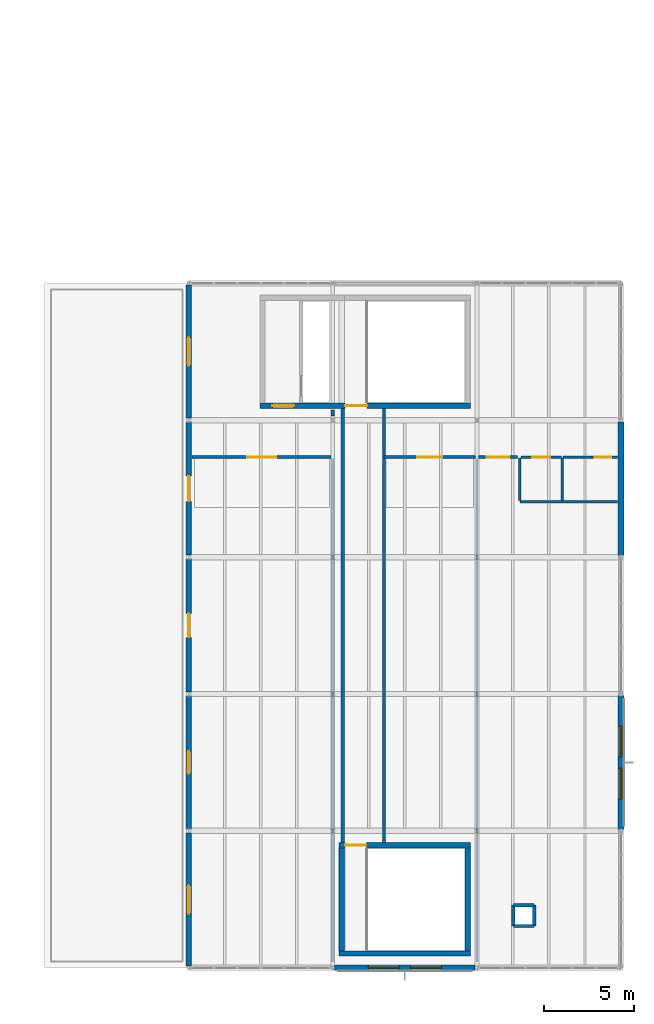
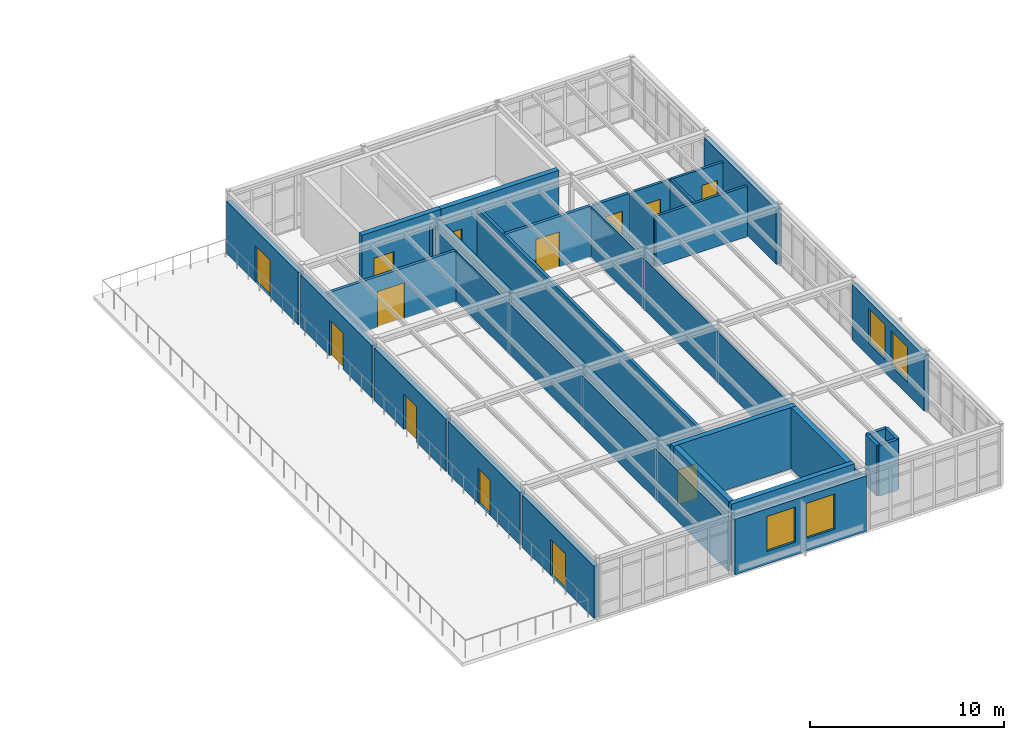
# One storey, part 53 of 65: 31 walls, 13 doors, 4 windows, 17 openings.
"""IFC4 building model written with IfcOpenShell, lengths in metres."""

import ifcopenshell
import ifcopenshell.guid

model = None  # the IFC model being written
_history = None  # IfcOwnerHistory: only IFC2X3 demands one
_inside = {}  # id of a spatial element -> (the spatial element, [elements in it])
_under = {}  # id of a project, library or spatial element -> (it, [spatial elements below it])
_declared = {}  # id of a project -> (the project, [libraries it declares])
_typed = {}  # id of a type object -> (the type object, [elements of that type])
_made_of = {}  # id of a material, layer set ... -> (it, [elements and type objects made of it])


def new_model(schema):
    """Start an empty IFC model of exactly this schema.

    Asked for "IFC4X3", IfcOpenShell would pick the latest addendum, in which some entities
    have other attributes; the version numbers below select the first issue.
    IFC2X3 requires an IfcOwnerHistory on every rooted entity: one is made here for all.
    """
    global model, _history
    if schema == "IFC4X3":
        model = ifcopenshell.file(schema_version=(4, 3, 0, 0))
    else:
        model = ifcopenshell.file(schema=schema)
    _inside.clear()
    _under.clear()
    _declared.clear()
    _typed.clear()
    _made_of.clear()
    _history = None
    if model.schema == "IFC2X3":
        org = make("IfcOrganization", Name="unknown")
        user = make(
            "IfcPersonAndOrganization",
            ThePerson=make("IfcPerson", FamilyName="unknown"),
            TheOrganization=org,
        )
        app = make(
            "IfcApplication",
            ApplicationDeveloper=org,
            Version="unknown",
            ApplicationFullName="unknown",
            ApplicationIdentifier="unknown",
        )
        _history = make(
            "IfcOwnerHistory",
            OwningUser=user,
            OwningApplication=app,
            ChangeAction="ADDED",
            CreationDate=0,
        )
    return model


def make(cls, **values):
    """One entity of the class cls with the attributes given. An attribute that is None is left unset."""
    return model.create_entity(
        cls, **{name: value for name, value in values.items() if value is not None}
    )


def rooted(cls, **values):
    """An entity with a GlobalId (a new one), such as an element, a storey or a relation."""
    return make(cls, GlobalId=ifcopenshell.guid.new(), OwnerHistory=_history, **values)


def si_unit(unit_type, name, prefix=None):
    """IfcSIUnit, for example si_unit("LENGTHUNIT", "METRE", prefix="MILLI")."""
    return make("IfcSIUnit", UnitType=unit_type, Prefix=prefix, Name=name)


def assignment(units):
    """IfcUnitAssignment: the units of a project."""
    return None if units is None else make("IfcUnitAssignment", Units=units)


def point(xyz):
    """IfcCartesianPoint."""
    return None if xyz is None else make("IfcCartesianPoint", Coordinates=xyz)


def direction(xyz):
    """IfcDirection."""
    return None if xyz is None else make("IfcDirection", DirectionRatios=xyz)


def frame(location, z_axis=None, x_axis=None):
    """IfcAxis2Placement3D, a coordinate frame: its origin and axes. An axis left out is left unset."""
    return make(
        "IfcAxis2Placement3D",
        Location=point(location),
        Axis=direction(z_axis),
        RefDirection=direction(x_axis),
    )


def frame_2d(location, x_axis=None):
    """IfcAxis2Placement2D, a coordinate frame in the plane: its origin and x axis."""
    return make(
        "IfcAxis2Placement2D", Location=point(location), RefDirection=direction(x_axis)
    )


def origin():
    """The frame at (0, 0, 0) with its axes left unset."""
    return frame((0.0, 0.0, 0.0))


def place(relative_to, where):
    """IfcLocalPlacement: puts the frame where relative to a parent placement (None: the world)."""
    return make(
        "IfcLocalPlacement", PlacementRelTo=relative_to, RelativePlacement=where
    )


def context(
    kind, dimensions, precision=None, world=None, true_north=None, identifier=None
):
    """IfcGeometricRepresentationContext, for example the 3D "Model" context."""
    return make(
        "IfcGeometricRepresentationContext",
        ContextIdentifier=identifier,
        ContextType=kind,
        CoordinateSpaceDimension=dimensions,
        Precision=precision,
        WorldCoordinateSystem=world,
        TrueNorth=true_north,
    )


def subcontext(parent, identifier, kind, view, scale=None):
    """IfcGeometricRepresentationSubContext, for example "Body" below "Model"."""
    return make(
        "IfcGeometricRepresentationSubContext",
        ContextIdentifier=identifier,
        ContextType=kind,
        ParentContext=parent,
        TargetScale=scale,
        TargetView=view,
    )


def project(units=None, contexts=None):
    """IfcProject with its units and contexts."""
    return rooted(
        "IfcProject",
        Name="project",
        RepresentationContexts=contexts,
        UnitsInContext=assignment(units),
    )


def spatial(cls, under=None, at=None, **own):
    """A site, building, storey or space (cls), placed at a placement, below another one or the project."""
    s = rooted(cls, ObjectPlacement=at, **own)
    if under is not None:
        _under.setdefault(under.id(), (under, []))[1].append(s)
    return s


def profile(cls, at=None, kind="AREA", **sizes):
    """A parametric profile (cls). Its sizes go by their IFC names, for example OverallWidth=200.0."""
    return make(cls, ProfileType=kind, Position=at, **sizes)


def rectangle(**sizes):
    """IfcRectangleProfileDef."""
    return profile("IfcRectangleProfileDef", **sizes)


def extrude(swept, where, along, depth):
    """IfcExtrudedAreaSolid: the profile swept, set in the frame where, extruded along a direction by depth."""
    return make(
        "IfcExtrudedAreaSolid",
        SweptArea=swept,
        Position=where,
        ExtrudedDirection=direction(along),
        Depth=depth,
    )


def shape(context_of_items, identifier, shape_type, items):
    """IfcShapeRepresentation: the items that make up one representation, for example the "Body"."""
    return make(
        "IfcShapeRepresentation",
        ContextOfItems=context_of_items,
        RepresentationIdentifier=identifier,
        RepresentationType=shape_type,
        Items=items,
    )


def material(Name=None, Category=None):
    """IfcMaterial."""
    return make("IfcMaterial", Name=Name, Category=Category)


def layer(
    of_material, thickness, ventilated=None, Name=None, Category=None, Priority=None
):
    """IfcMaterialLayer: one layer of a wall or slab, of a material (None: an air gap)."""
    return make(
        "IfcMaterialLayer",
        Material=of_material,
        LayerThickness=thickness,
        IsVentilated=ventilated,
        Name=Name,
        Category=Category,
        Priority=Priority,
    )


def layer_set(layers, Name=None):
    """IfcMaterialLayerSet."""
    return make("IfcMaterialLayerSet", MaterialLayers=layers, LayerSetName=Name)


def made_of(thing, what):
    """Note that an element or type object is made of a material, layer set ...; save() writes the relation."""
    if what is not None:
        _made_of.setdefault(what.id(), (what, []))[1].append(thing)
    return thing


def type_object(cls, material=None, **own):
    """A type object (cls), such as IfcWallType, which elements share."""
    return made_of(rooted(cls, **own), material)


def element(
    cls,
    number,
    at=None,
    inside=None,
    cuts=None,
    type_object=None,
    material=None,
    context=None,
    identifier="Body",
    shape_type=None,
    held_by="IfcProductDefinitionShape",
    body=None,
    shapes=None,
    **own,
):
    """One element of the class cls, such as IfcWall. Its Tag is "e" and its number.

    at: its placement. inside: the storey or other place that contains it. cuts: it is an
    opening in that element (IfcRelVoidsElement). A single representation is given by context,
    identifier, shape_type and body (its items); several are given by shapes. held_by: the class
    of the entity that holds the representations. save() writes the other relations.
    """
    e = rooted(cls, Tag="e%d" % number, ObjectPlacement=at, **own)
    if body is not None:
        shapes = [shape(context, identifier, shape_type, body)]
    if shapes is not None:
        e.Representation = make(held_by, Representations=shapes)
    if inside is not None:
        _inside.setdefault(inside.id(), (inside, []))[1].append(e)
    if cuts is not None:
        rooted(
            "IfcRelVoidsElement", RelatingBuildingElement=cuts, RelatedOpeningElement=e
        )
    if type_object is not None:
        _typed.setdefault(type_object.id(), (type_object, []))[1].append(e)
    return made_of(e, material)


def fill(opening, filler):
    """IfcRelFillsElement: the door or window that sits in an opening."""
    return rooted(
        "IfcRelFillsElement",
        RelatingOpeningElement=opening,
        RelatedBuildingElement=filler,
    )


def aggregate(whole, parts):
    """IfcRelAggregates: a whole, such as a stair, and the parts it consists of."""
    return rooted("IfcRelAggregates", RelatingObject=whole, RelatedObjects=parts)


def save(model, path):
    """Write the relations noted so far, then the file.

    IfcRelAggregates (storeys below a building ...), IfcRelContainedInSpatialStructure (elements
    in a storey), IfcRelDefinesByType, IfcRelAssociatesMaterial and IfcRelDeclares: one each for
    every whole, place, type object, material and project.
    """
    for whole, parts in _under.values():
        aggregate(whole, parts)
    for where, things in _inside.values():
        rooted(
            "IfcRelContainedInSpatialStructure",
            RelatedElements=things,
            RelatingStructure=where,
        )
    for kind, things in _typed.values():
        rooted("IfcRelDefinesByType", RelatedObjects=things, RelatingType=kind)
    for what, things in _made_of.values():
        rooted("IfcRelAssociatesMaterial", RelatedObjects=things, RelatingMaterial=what)
    for by, libraries in _declared.values():
        rooted("IfcRelDeclares", RelatingContext=by, RelatedDefinitions=libraries)
    model.write(path)


model = new_model("IFC4")

# Units and contexts
model_context = context("Model", 3, precision=1e-05, world=origin(), true_north=direction((0.0, 1.0)))
body_context = subcontext(model_context, "Body", "Model", "MODEL_VIEW")
ifc_project = project(units=[si_unit("LENGTHUNIT", "METRE"), si_unit("AREAUNIT", "SQUARE_METRE"), si_unit("VOLUMEUNIT", "CUBIC_METRE"), si_unit("PLANEANGLEUNIT", "RADIAN"), si_unit("MASSUNIT", "GRAM", prefix="KILO")], contexts=[model_context])

# Site, building, storey
site_placement = place(None, origin())
site = spatial("IfcSite", under=ifc_project, at=site_placement, CompositionType="ELEMENT")
building_placement = place(site_placement, origin())
building = spatial("IfcBuilding", under=site, at=building_placement, Name="Montecoro Central Library", CompositionType="ELEMENT")
storey_placement = place(building_placement, frame((0.0, 0.0, 17.340087890625)))
storey = spatial("IfcBuildingStorey", under=building, at=storey_placement, Name="L04", CompositionType="ELEMENT", Elevation=17.340087890625)

# Wall, openings, windows
ifc_material_1 = material(Name="Roman travertine stone clad concrete C35/45", Category="masonry")
ifc_layer_1 = layer(ifc_material_1, 0.31005859375)
ifc_layer_set_1 = layer_set([ifc_layer_1], Name="Roman travertine stone clad concrete C35/45")
wall_type_1 = type_object("IfcWallType", Name="EW-TRV-310", PredefinedType="SOLIDWALL", material=ifc_layer_set_1)
wall_1_placement = place(storey_placement, frame((157.093017578125, 5.0, 0.0), z_axis=(0.0, 0.0, 1.0), x_axis=(1.0, 0.0, 0.0)))
wall_1 = element("IfcWall", 1, at=wall_1_placement, inside=storey, type_object=wall_type_1, Name="V6-L04-EW-S1", PredefinedType="SOLIDWALL", context=body_context, shape_type="SweptSolid", body=[
    extrude(rectangle(XDim=7.81396484375, YDim=0.31005859375, at=frame_2d((3.906982421875, 0.0))), origin(), (0.0, 0.0, 1.0), 3.47998046875),
])
opening_1_placement = place(wall_1_placement, frame((1.882080078125, 0.0, 0.800048828125)))
opening_1 = element("IfcOpeningElement", 2, at=opening_1_placement, cuts=wall_1, Name="Opening WN-17", PredefinedType="OPENING", context=body_context, shape_type="SweptSolid", body=[
    extrude(rectangle(XDim=1.699951171875, YDim=2.199951171875, at=frame_2d((0.85009765625, 1.10009765625))), frame((0.0, 0.1650390625, 0.0), z_axis=(0.0, -1.0, 0.0), x_axis=(1.0, 0.0, 0.0)), (0.0, 0.0, 1.0), 0.330078125),
])
opening_2_placement = place(wall_1_placement, frame((4.23193359375, 0.0, 0.800048828125)))
opening_2 = element("IfcOpeningElement", 3, at=opening_2_placement, cuts=wall_1, Name="Opening WN-17", PredefinedType="OPENING", context=body_context, shape_type="SweptSolid", body=[
    extrude(rectangle(XDim=1.699951171875, YDim=2.199951171875, at=frame_2d((0.85009765625, 1.10009765625))), frame((0.0, 0.1650390625, 0.0), z_axis=(0.0, -1.0, 0.0), x_axis=(1.0, 0.0, 0.0)), (0.0, 0.0, 1.0), 0.330078125),
])
ifc_material_2 = material(Name="Laminated low-E double glazing", Category="glass")
window_type = type_object("IfcWindowType", Name="WN-COM-170", PartitioningType="SINGLE_PANEL", PredefinedType="WINDOW", material=ifc_material_2)
window_1_placement = place(opening_1_placement, origin())
window_1 = element("IfcWindow", 4, at=window_1_placement, inside=storey, type_object=window_type, Name="V6-L04-WN-S1-1", OverallHeight=2.199951171875, OverallWidth=1.699951171875, PartitioningType="SINGLE_PANEL", PredefinedType="WINDOW", context=body_context, shape_type="SweptSolid", body=[
    extrude(rectangle(XDim=1.699951171875, YDim=2.199951171875, at=frame_2d((0.85009765625, 1.10009765625))), frame((0.0, 0.030029296875, 0.0), z_axis=(0.0, -1.0, 0.0), x_axis=(1.0, 0.0, 0.0)), (0.0, 0.0, 1.0), 0.06005859375),
])
fill(opening_1, window_1)
window_2_placement = place(opening_2_placement, origin())
window_2 = element("IfcWindow", 5, at=window_2_placement, inside=storey, type_object=window_type, Name="V6-L04-WN-S1-2", OverallHeight=2.199951171875, OverallWidth=1.699951171875, PartitioningType="SINGLE_PANEL", PredefinedType="WINDOW", context=body_context, shape_type="SweptSolid", body=[
    extrude(rectangle(XDim=1.699951171875, YDim=2.199951171875, at=frame_2d((0.85009765625, 1.10009765625))), frame((0.0, 0.030029296875, 0.0), z_axis=(0.0, -1.0, 0.0), x_axis=(1.0, 0.0, 0.0)), (0.0, 0.0, 1.0), 0.06005859375),
])
fill(opening_2, window_2)

wall_2_placement = place(storey_placement, frame((173.0, 12.693115234375, 0.0), z_axis=(0.0, 0.0, 1.0), x_axis=(0.0, 1.0, 0.0)))
wall_2 = element("IfcWall", 6, at=wall_2_placement, inside=storey, type_object=wall_type_1, Name="V6-L04-EW-E1", PredefinedType="SOLIDWALL", context=body_context, shape_type="SweptSolid", body=[
    extrude(rectangle(XDim=7.413818359375, YDim=0.31005859375, at=frame_2d((3.70703125, 0.0))), origin(), (0.0, 0.0, 1.0), 3.47998046875),
])
opening_3_placement = place(wall_2_placement, frame((1.681884765625, 0.0, 0.800048828125)))
opening_3 = element("IfcOpeningElement", 7, at=opening_3_placement, cuts=wall_2, Name="Opening WN-17", PredefinedType="OPENING", context=body_context, shape_type="SweptSolid", body=[
    extrude(rectangle(XDim=1.699951171875, YDim=2.199951171875, at=frame_2d((0.85009765625, 1.10009765625))), frame((0.0, 0.1650390625, 0.0), z_axis=(0.0, -1.0, 0.0), x_axis=(1.0, 0.0, 0.0)), (0.0, 0.0, 1.0), 0.330078125),
])
opening_4_placement = place(wall_2_placement, frame((4.031982421875, 0.0, 0.800048828125)))
opening_4 = element("IfcOpeningElement", 8, at=opening_4_placement, cuts=wall_2, Name="Opening WN-17", PredefinedType="OPENING", context=body_context, shape_type="SweptSolid", body=[
    extrude(rectangle(XDim=1.699951171875, YDim=2.199951171875, at=frame_2d((0.85009765625, 1.10009765625))), frame((0.0, 0.1650390625, 0.0), z_axis=(0.0, -1.0, 0.0), x_axis=(1.0, 0.0, 0.0)), (0.0, 0.0, 1.0), 0.330078125),
])
window_3_placement = place(opening_3_placement, origin())
window_3 = element("IfcWindow", 9, at=window_3_placement, inside=storey, type_object=window_type, Name="V6-L04-WN-E1-1", OverallHeight=2.199951171875, OverallWidth=1.699951171875, PartitioningType="SINGLE_PANEL", PredefinedType="WINDOW", context=body_context, shape_type="SweptSolid", body=[
    extrude(rectangle(XDim=1.699951171875, YDim=2.199951171875, at=frame_2d((0.85009765625, 1.10009765625))), frame((0.0, 0.030029296875, 0.0), z_axis=(0.0, -1.0, 0.0), x_axis=(1.0, 0.0, 0.0)), (0.0, 0.0, 1.0), 0.06005859375),
])
fill(opening_3, window_3)
window_4_placement = place(opening_4_placement, origin())
window_4 = element("IfcWindow", 10, at=window_4_placement, inside=storey, type_object=window_type, Name="V6-L04-WN-E1-2", OverallHeight=2.199951171875, OverallWidth=1.699951171875, PartitioningType="SINGLE_PANEL", PredefinedType="WINDOW", context=body_context, shape_type="SweptSolid", body=[
    extrude(rectangle(XDim=1.699951171875, YDim=2.199951171875, at=frame_2d((0.85009765625, 1.10009765625))), frame((0.0, 0.030029296875, 0.0), z_axis=(0.0, -1.0, 0.0), x_axis=(1.0, 0.0, 0.0)), (0.0, 0.0, 1.0), 0.06005859375),
])
fill(opening_4, window_4)

# Wall
wall_3_placement = place(storey_placement, frame((173.0, 27.89306640625, 0.0), z_axis=(0.0, 0.0, 1.0), x_axis=(0.0, 1.0, 0.0)))
element("IfcWall", 11, at=wall_3_placement, inside=storey, type_object=wall_type_1, Name="V6-L04-EW-E3", PredefinedType="SOLIDWALL", context=body_context, shape_type="SweptSolid", body=[
    extrude(rectangle(XDim=7.413818359375, YDim=0.31005859375, at=frame_2d((3.70703125, 0.0))), origin(), (0.0, 0.0, 1.0), 3.47998046875),
])

# Wall, opening, door
wall_4_placement = place(storey_placement, frame((149.0, 42.906982421875, 0.0), z_axis=(0.0, 0.0, 1.0), x_axis=(0.0, -1.0, 0.0)))
wall_4 = element("IfcWall", 12, at=wall_4_placement, inside=storey, type_object=wall_type_1, Name="V6-L04-EW-W4", PredefinedType="SOLIDWALL", context=body_context, shape_type="SweptSolid", body=[
    extrude(rectangle(XDim=7.39892578125, YDim=0.31005859375, at=frame_2d((3.699462890625, 0.0))), origin(), (0.0, 0.0, 1.0), 3.27001953125),
])
opening_5_placement = place(wall_4_placement, frame((2.925048828125, 0.0, 0.0)))
opening_5 = element("IfcOpeningElement", 13, at=opening_5_placement, cuts=wall_4, Name="Opening ED-08", PredefinedType="OPENING", context=body_context, shape_type="SweptSolid", body=[
    extrude(rectangle(XDim=1.550048828125, YDim=2.280029296875, at=frame_2d((0.77490234375, 1.14013671875))), frame((0.0, 0.1650390625, 0.0), z_axis=(0.0, -1.0, 0.0), x_axis=(1.0, 0.0, 0.0)), (0.0, 0.0, 1.0), 0.330078125),
])
ifc_material_3 = material(Name="Thermally broken architectural bronze and safety glass", Category="glass")
door_type_1 = type_object("IfcDoorType", Name="ED-TER-155", OperationType="NOTDEFINED", PredefinedType="DOOR", material=ifc_material_3)
door_1_placement = place(opening_5_placement, origin())
door_1 = element("IfcDoor", 14, at=door_1_placement, inside=storey, type_object=door_type_1, Name="V6-L04-TD-W4", OperationType="SINGLE_SWING_LEFT", OverallHeight=2.280029296875, OverallWidth=1.550048828125, PredefinedType="DOOR", context=body_context, shape_type="SweptSolid", body=[
    extrude(rectangle(XDim=1.550048828125, YDim=2.280029296875, at=frame_2d((0.77490234375, 1.14013671875))), frame((0.0, 0.02490234375, 0.0), z_axis=(0.0, -1.0, 0.0), x_axis=(1.0, 0.0, 0.0)), (0.0, 0.0, 1.0), 0.050048828125),
])
fill(opening_5, door_1)

wall_5_placement = place(storey_placement, frame((149.0, 35.2919921875, 0.0), z_axis=(0.0, 0.0, 1.0), x_axis=(0.0, -1.0, 0.0)))
wall_5 = element("IfcWall", 15, at=wall_5_placement, inside=storey, type_object=wall_type_1, Name="V6-L04-EW-W3", PredefinedType="SOLIDWALL", context=body_context, shape_type="SweptSolid", body=[
    extrude(rectangle(XDim=7.384033203125, YDim=0.31005859375, at=frame_2d((3.69189453125, 0.0))), origin(), (0.0, 0.0, 1.0), 3.27001953125),
])
opening_6_placement = place(wall_5_placement, frame((2.991943359375, 0.0, 0.0)))
opening_6 = element("IfcOpeningElement", 16, at=opening_6_placement, cuts=wall_5, Name="Opening ED-07", PredefinedType="OPENING", context=body_context, shape_type="SweptSolid", body=[
    extrude(rectangle(XDim=1.39990234375, YDim=2.25, at=frame_2d((0.699951171875, 1.125))), frame((0.0, 0.1650390625, 0.0), z_axis=(0.0, -1.0, 0.0), x_axis=(1.0, 0.0, 0.0)), (0.0, 0.0, 1.0), 0.330078125),
])
door_type_2 = type_object("IfcDoorType", Name="ED-TER-140", OperationType="NOTDEFINED", PredefinedType="DOOR", material=ifc_material_3)
door_2_placement = place(opening_6_placement, origin())
door_2 = element("IfcDoor", 17, at=door_2_placement, inside=storey, type_object=door_type_2, Name="V6-L04-TD-W3", OperationType="SINGLE_SWING_RIGHT", OverallHeight=2.25, OverallWidth=1.39990234375, PredefinedType="DOOR", context=body_context, shape_type="SweptSolid", body=[
    extrude(rectangle(XDim=1.39990234375, YDim=2.25, at=frame_2d((0.699951171875, 1.125))), frame((0.0, 0.02490234375, 0.0), z_axis=(0.0, -1.0, 0.0), x_axis=(1.0, 0.0, 0.0)), (0.0, 0.0, 1.0), 0.050048828125),
])
fill(opening_6, door_2)

wall_6_placement = place(storey_placement, frame((149.0, 27.69189453125, 0.0), z_axis=(0.0, 0.0, 1.0), x_axis=(0.0, -1.0, 0.0)))
wall_6 = element("IfcWall", 18, at=wall_6_placement, inside=storey, type_object=wall_type_1, Name="V6-L04-EW-W2", PredefinedType="SOLIDWALL", context=body_context, shape_type="SweptSolid", body=[
    extrude(rectangle(XDim=7.3837890625, YDim=0.31005859375, at=frame_2d((3.69189453125, 0.0))), origin(), (0.0, 0.0, 1.0), 3.27001953125),
])
opening_7_placement = place(wall_6_placement, frame((3.031982421875, 0.0, 0.0)))
opening_7 = element("IfcOpeningElement", 19, at=opening_7_placement, cuts=wall_6, Name="Opening ED-10", PredefinedType="OPENING", context=body_context, shape_type="SweptSolid", body=[
    extrude(rectangle(XDim=1.320068359375, YDim=2.219970703125, at=frame_2d((0.66015625, 1.10986328125))), frame((0.0, 0.1650390625, 0.0), z_axis=(0.0, -1.0, 0.0), x_axis=(1.0, 0.0, 0.0)), (0.0, 0.0, 1.0), 0.330078125),
])
door_type_3 = type_object("IfcDoorType", Name="ED-TER-132", OperationType="NOTDEFINED", PredefinedType="DOOR", material=ifc_material_3)
door_3_placement = place(opening_7_placement, origin())
door_3 = element("IfcDoor", 20, at=door_3_placement, inside=storey, type_object=door_type_3, Name="V6-L04-TD-W2", OperationType="SINGLE_SWING_LEFT", OverallHeight=2.219970703125, OverallWidth=1.320068359375, PredefinedType="DOOR", context=body_context, shape_type="SweptSolid", body=[
    extrude(rectangle(XDim=1.320068359375, YDim=2.219970703125, at=frame_2d((0.66015625, 1.10986328125))), frame((0.0, 0.02490234375, 0.0), z_axis=(0.0, -1.0, 0.0), x_axis=(1.0, 0.0, 0.0)), (0.0, 0.0, 1.0), 0.050048828125),
])
fill(opening_7, door_3)

wall_7_placement = place(storey_placement, frame((149.0, 20.092041015625, 0.0), z_axis=(0.0, 0.0, 1.0), x_axis=(0.0, -1.0, 0.0)))
wall_7 = element("IfcWall", 21, at=wall_7_placement, inside=storey, type_object=wall_type_1, Name="V6-L04-EW-W1", PredefinedType="SOLIDWALL", context=body_context, shape_type="SweptSolid", body=[
    extrude(rectangle(XDim=7.384033203125, YDim=0.31005859375, at=frame_2d((3.69189453125, 0.0))), origin(), (0.0, 0.0, 1.0), 3.27001953125),
])
opening_8_placement = place(wall_7_placement, frame((3.06689453125, 0.0, 0.0)))
opening_8 = element("IfcOpeningElement", 22, at=opening_8_placement, cuts=wall_7, Name="Opening ED-09", PredefinedType="OPENING", context=body_context, shape_type="SweptSolid", body=[
    extrude(rectangle(XDim=1.25, YDim=2.199951171875, at=frame_2d((0.625, 1.10009765625))), frame((0.0, 0.1650390625, 0.0), z_axis=(0.0, -1.0, 0.0), x_axis=(1.0, 0.0, 0.0)), (0.0, 0.0, 1.0), 0.330078125),
])
door_type_4 = type_object("IfcDoorType", Name="ED-TER-125", OperationType="NOTDEFINED", PredefinedType="DOOR", material=ifc_material_3)
door_4_placement = place(opening_8_placement, origin())
door_4 = element("IfcDoor", 23, at=door_4_placement, inside=storey, type_object=door_type_4, Name="V6-L04-TD-W1", OperationType="SINGLE_SWING_RIGHT", OverallHeight=2.199951171875, OverallWidth=1.25, PredefinedType="DOOR", context=body_context, shape_type="SweptSolid", body=[
    extrude(rectangle(XDim=1.25, YDim=2.199951171875, at=frame_2d((0.625, 1.10009765625))), frame((0.0, 0.02490234375, 0.0), z_axis=(0.0, -1.0, 0.0), x_axis=(1.0, 0.0, 0.0)), (0.0, 0.0, 1.0), 0.050048828125),
])
fill(opening_8, door_4)

wall_8_placement = place(storey_placement, frame((149.0, 12.491943359375, 0.0), z_axis=(0.0, 0.0, 1.0), x_axis=(0.0, -1.0, 0.0)))
wall_8 = element("IfcWall", 24, at=wall_8_placement, inside=storey, type_object=wall_type_1, Name="V6-L04-EW-W0", PredefinedType="SOLIDWALL", context=body_context, shape_type="SweptSolid", body=[
    extrude(rectangle(XDim=7.39892578125, YDim=0.31005859375, at=frame_2d((3.699462890625, 0.0))), origin(), (0.0, 0.0, 1.0), 3.27001953125),
])
opening_9_placement = place(wall_8_placement, frame((2.925048828125, 0.0, 0.0)))
opening_9 = element("IfcOpeningElement", 25, at=opening_9_placement, cuts=wall_8, Name="Opening ED-08", PredefinedType="OPENING", context=body_context, shape_type="SweptSolid", body=[
    extrude(rectangle(XDim=1.550048828125, YDim=2.280029296875, at=frame_2d((0.77490234375, 1.14013671875))), frame((0.0, 0.1650390625, 0.0), z_axis=(0.0, -1.0, 0.0), x_axis=(1.0, 0.0, 0.0)), (0.0, 0.0, 1.0), 0.330078125),
])
door_5_placement = place(opening_9_placement, origin())
door_5 = element("IfcDoor", 26, at=door_5_placement, inside=storey, type_object=door_type_1, Name="V6-L04-TD-W0", OperationType="SINGLE_SWING_LEFT", OverallHeight=2.280029296875, OverallWidth=1.550048828125, PredefinedType="DOOR", context=body_context, shape_type="SweptSolid", body=[
    extrude(rectangle(XDim=1.550048828125, YDim=2.280029296875, at=frame_2d((0.77490234375, 1.14013671875))), frame((0.0, 0.02490234375, 0.0), z_axis=(0.0, -1.0, 0.0), x_axis=(1.0, 0.0, 0.0)), (0.0, 0.0, 1.0), 0.050048828125),
])
fill(opening_9, door_5)

# Walls
ifc_material_4 = material(Name="Gypsum fire-rated partition")
ifc_layer_2 = layer(ifc_material_4, 0.179931640625)
ifc_layer_set_2 = layer_set([ifc_layer_2], Name="Gypsum fire-rated partition")
wall_type_2 = type_object("IfcWallType", Name="IW-COR-180", PredefinedType="PARTITIONING", material=ifc_layer_set_2)
for number, where, z_axis, x_axis, name in (
    (27, (167.02001953125, 7.320068359375, 0.0), (0.0, 0.0, 1.0), (1.0, 0.0, 0.0), "RSR-V6-L04-SL3-S"),
    (28, (168.179931640625, 8.47998046875, 0.0), (0.0, 0.0, 1.0), (-1.0, 0.0, 0.0), "RSR-V6-L04-SL3-N"),
    (29, (167.02001953125, 8.47998046875, 0.0), (0.0, 0.0, 1.0), (0.0, -1.0, 0.0), "RSR-V6-L04-SL3-W"),
    (30, (168.179931640625, 7.320068359375, 0.0), (0.0, 0.0, 1.0), (0.0, 1.0, 0.0), "RSR-V6-L04-SL3-E"),
):
    element("IfcWall", number, at=place(storey_placement, frame(where, z_axis=z_axis, x_axis=x_axis)), inside=storey, type_object=wall_type_2, Name=name, PredefinedType="PARTITIONING", context=body_context, shape_type="SweptSolid", body=[
        extrude(rectangle(XDim=1.159912109375, YDim=0.179931640625, at=frame_2d((0.580078125, 0.0))), origin(), (0.0, 0.0, 1.0), 3.179931640625),
    ])

# Wall, opening, door
wall_9_placement = place(storey_placement, frame((149.199951171875, 33.35009765625, 0.0), z_axis=(0.0, 0.0, 1.0), x_axis=(1.0, 0.0, 0.0)))
wall_9 = element("IfcWall", 31, at=wall_9_placement, inside=storey, type_object=wall_type_2, Name="CORW-V6-L04-01", PredefinedType="PARTITIONING", context=body_context, shape_type="SweptSolid", body=[
    extrude(rectangle(XDim=7.7099609375, YDim=0.179931640625, at=frame_2d((3.85498046875, 0.0))), origin(), (0.0, 0.0, 1.0), 3.179931640625),
])
opening_10_placement = place(wall_9_placement, frame((3.054931640625, 0.0, 0.0)))
opening_10 = element("IfcOpeningElement", 32, at=opening_10_placement, cuts=wall_9, Name="Opening ID-06", PredefinedType="OPENING", context=body_context, shape_type="SweptSolid", body=[
    extrude(rectangle(XDim=1.60009765625, YDim=2.25, at=frame_2d((0.800048828125, 1.125))), frame((0.0, 0.099853515625, 0.0), z_axis=(0.0, -1.0, 0.0), x_axis=(1.0, 0.0, 0.0)), (0.0, 0.0, 1.0), 0.199951171875),
])
ifc_material_5 = material(Name="Solid oak and fire-rated steel door", Category="steel")
door_type_5 = type_object("IfcDoorType", Name="ID-COR-160", OperationType="NOTDEFINED", PredefinedType="DOOR", material=ifc_material_5)
door_6_placement = place(opening_10_placement, origin())
door_6 = element("IfcDoor", 33, at=door_6_placement, inside=storey, type_object=door_type_5, Name="DR-SP-V6-L04-R1P1", OperationType="DOUBLE_DOOR_SINGLE_SWING", OverallHeight=2.25, OverallWidth=1.60009765625, PredefinedType="DOOR", context=body_context, shape_type="SweptSolid", body=[
    extrude(rectangle(XDim=1.60009765625, YDim=2.25, at=frame_2d((0.800048828125, 1.125))), frame((0.0, 0.02490234375, 0.0), z_axis=(0.0, -1.0, 0.0), x_axis=(1.0, 0.0, 0.0)), (0.0, 0.0, 1.0), 0.050048828125),
])
fill(opening_10, door_6)

wall_10_placement = place(storey_placement, frame((159.85009765625, 33.35009765625, 0.0), z_axis=(0.0, 0.0, 1.0), x_axis=(1.0, 0.0, 0.0)))
wall_10 = element("IfcWall", 34, at=wall_10_placement, inside=storey, type_object=wall_type_2, Name="CORW-V6-L04-03", PredefinedType="PARTITIONING", context=body_context, shape_type="SweptSolid", body=[
    extrude(rectangle(XDim=5.059814453125, YDim=0.179931640625, at=frame_2d((2.52978515625, 0.0))), origin(), (0.0, 0.0, 1.0), 3.179931640625),
])
opening_11_placement = place(wall_10_placement, frame((1.830078125, 0.0, 0.0)))
opening_11 = element("IfcOpeningElement", 35, at=opening_11_placement, cuts=wall_10, Name="Opening ID-08", PredefinedType="OPENING", context=body_context, shape_type="SweptSolid", body=[
    extrude(rectangle(XDim=1.39990234375, YDim=2.219970703125, at=frame_2d((0.699951171875, 1.10986328125))), frame((0.0, 0.099853515625, 0.0), z_axis=(0.0, -1.0, 0.0), x_axis=(1.0, 0.0, 0.0)), (0.0, 0.0, 1.0), 0.199951171875),
])
door_type_6 = type_object("IfcDoorType", Name="ID-RDG-140", OperationType="NOTDEFINED", PredefinedType="DOOR", material=ifc_material_5)
door_7_placement = place(opening_11_placement, origin())
door_7 = element("IfcDoor", 36, at=door_7_placement, inside=storey, type_object=door_type_6, Name="DR-SP-V6-L04-R2P1", OperationType="SINGLE_SWING_RIGHT", OverallHeight=2.219970703125, OverallWidth=1.39990234375, PredefinedType="DOOR", context=body_context, shape_type="SweptSolid", body=[
    extrude(rectangle(XDim=1.39990234375, YDim=2.219970703125, at=frame_2d((0.699951171875, 1.10986328125))), frame((0.0, 0.02490234375, 0.0), z_axis=(0.0, -1.0, 0.0), x_axis=(1.0, 0.0, 0.0)), (0.0, 0.0, 1.0), 0.050048828125),
])
fill(opening_11, door_7)

wall_11_placement = place(storey_placement, frame((165.090087890625, 33.35009765625, 0.0), z_axis=(0.0, 0.0, 1.0), x_axis=(1.0, 0.0, 0.0)))
wall_11 = element("IfcWall", 37, at=wall_11_placement, inside=storey, type_object=wall_type_2, Name="CORW-V6-L04-04", PredefinedType="PARTITIONING", context=body_context, shape_type="SweptSolid", body=[
    extrude(rectangle(XDim=2.169921875, YDim=0.179931640625, at=frame_2d((1.0849609375, 0.0))), origin(), (0.0, 0.0, 1.0), 3.179931640625),
])
opening_12_placement = place(wall_11_placement, frame((0.455078125, 0.0, 0.0)))
opening_12 = element("IfcOpeningElement", 38, at=opening_12_placement, cuts=wall_11, Name="Opening ID-09", PredefinedType="OPENING", context=body_context, shape_type="SweptSolid", body=[
    extrude(rectangle(XDim=1.260009765625, YDim=2.199951171875, at=frame_2d((0.6298828125, 1.10009765625))), frame((0.0, 0.099853515625, 0.0), z_axis=(0.0, -1.0, 0.0), x_axis=(1.0, 0.0, 0.0)), (0.0, 0.0, 1.0), 0.199951171875),
])
door_type_7 = type_object("IfcDoorType", Name="ID-RDG-126", OperationType="NOTDEFINED", PredefinedType="DOOR", material=ifc_material_5)
door_8_placement = place(opening_12_placement, origin())
door_8 = element("IfcDoor", 39, at=door_8_placement, inside=storey, type_object=door_type_7, Name="DR-SP-V6-L04-R3P1", OperationType="SINGLE_SWING_LEFT", OverallHeight=2.199951171875, OverallWidth=1.260009765625, PredefinedType="DOOR", context=body_context, shape_type="SweptSolid", body=[
    extrude(rectangle(XDim=1.260009765625, YDim=2.199951171875, at=frame_2d((0.6298828125, 1.10009765625))), frame((0.0, 0.02490234375, 0.0), z_axis=(0.0, -1.0, 0.0), x_axis=(1.0, 0.0, 0.0)), (0.0, 0.0, 1.0), 0.050048828125),
])
fill(opening_12, door_8)

# Walls
wall_12_placement = place(storey_placement, frame((157.0, 35.639892578125, 0.0), z_axis=(0.0, 0.0, 1.0), x_axis=(0.0, 1.0, 0.0)))
element("IfcWall", 40, at=wall_12_placement, inside=storey, type_object=wall_type_2, Name="PIL-V6-L04-1", PredefinedType="PARTITIONING", context=body_context, shape_type="SweptSolid", body=[
    extrude(rectangle(XDim=0.320068359375, YDim=0.179931640625, at=frame_2d((0.16015625, 0.0))), origin(), (0.0, 0.0, 1.0), 3.179931640625),
])
for number, where, z_axis, x_axis, name in (
    (41, (157.550048828125, 11.9599609375, 0.0), (0.0, 0.0, 1.0), (0.0, 1.0, 0.0), "SPRW-V6-L04-1W1"),
    (42, (159.85009765625, 11.9599609375, 0.0), (0.0, 0.0, 1.0), (0.0, 1.0, 0.0), "SPRW-V6-L04-1E1"),
):
    element("IfcWall", number, at=place(storey_placement, frame(where, z_axis=z_axis, x_axis=x_axis)), inside=storey, type_object=wall_type_2, Name=name, PredefinedType="PARTITIONING", context=body_context, shape_type="SweptSolid", body=[
        extrude(rectangle(XDim=24.080078125, YDim=0.179931640625, at=frame_2d((12.0400390625, 0.0))), origin(), (0.0, 0.0, 1.0), 3.179931640625),
    ])
ifc_material_6 = material(Name="Gypsum metal-stud partition")
ifc_layer_3 = layer(ifc_material_6, 0.1201171875)
ifc_layer_set_3 = layer_set([ifc_layer_3], Name="Gypsum metal-stud partition")
wall_type_3 = type_object("IfcWallType", Name="IW-PRT-120", PredefinedType="PARTITIONING", material=ifc_layer_set_3)
wall_13_placement = place(storey_placement, frame((165.0, 5.320068359375, 0.0), z_axis=(0.0, 0.0, 1.0), x_axis=(0.0, 1.0, 0.0)))
element("IfcWall", 43, at=wall_13_placement, inside=storey, type_object=wall_type_3, Name="DIVW-V6-L04-02-1", PredefinedType="PARTITIONING", context=body_context, shape_type="SweptSolid", body=[
    extrude(rectangle(XDim=27.93994140625, YDim=0.1201171875, at=frame_2d((13.969970703125, 0.0))), origin(), (0.0, 0.0, 1.0), 3.179931640625),
])
ifc_layer_4 = layer(ifc_material_6, 0.139892578125)
ifc_layer_set_4 = layer_set([ifc_layer_4], Name="Gypsum metal-stud partition")
wall_type_4 = type_object("IfcWallType", Name="IW-PRT-140", PredefinedType="PARTITIONING", material=ifc_layer_set_4)
wall_14_placement = place(storey_placement, frame((157.0, 5.320068359375, 0.0), z_axis=(0.0, 0.0, 1.0), x_axis=(0.0, 1.0, 0.0)))
element("IfcWall", 44, at=wall_14_placement, inside=storey, type_object=wall_type_4, Name="DIVW-V6-L04-01-1", PredefinedType="PARTITIONING", context=body_context, shape_type="SweptSolid", body=[
    extrude(rectangle(XDim=27.93994140625, YDim=0.139892578125, at=frame_2d((13.969970703125, 0.0))), origin(), (0.0, 0.0, 1.0), 3.179931640625),
])

# Wall, opening, door
ifc_material_7 = material(Name="Concrete C35/45", Category="concrete")
ifc_layer_5 = layer(ifc_material_7, 0.300048828125)
ifc_layer_set_5 = layer_set([ifc_layer_5], Name="Concrete C35/45")
wall_type_5 = type_object("IfcWallType", Name="IW-SHR-300", PredefinedType="SHEAR", material=ifc_layer_set_5)
wall_15_placement = place(storey_placement, frame((152.949951171875, 36.199951171875, 0.0), z_axis=(0.0, 0.0, 1.0), x_axis=(1.0, 0.0, 0.0)))
wall_15 = element("IfcWall", 45, at=wall_15_placement, inside=storey, type_object=wall_type_5, Name="C7-L04-LWS", PredefinedType="SHEAR", context=body_context, shape_type="SweptSolid", body=[
    extrude(rectangle(XDim=4.699951171875, YDim=0.300048828125, at=frame_2d((2.35009765625, 0.0))), origin(), (0.0, 0.0, 1.0), 3.844970703125),
])
opening_13_placement = place(wall_15_placement, frame((0.699951171875, 0.0, 0.0)))
opening_13 = element("IfcOpeningElement", 46, at=opening_13_placement, cuts=wall_15, Name="Opening ID-03", PredefinedType="OPENING", context=body_context, shape_type="SweptSolid", body=[
    extrude(rectangle(XDim=1.199951171875, YDim=2.159912109375, at=frame_2d((0.60009765625, 1.080078125))), frame((0.0, 0.159912109375, 0.0), z_axis=(0.0, -1.0, 0.0), x_axis=(1.0, 0.0, 0.0)), (0.0, 0.0, 1.0), 0.320068359375),
])
door_type_8 = type_object("IfcDoorType", Name="ID-FFL-120", OperationType="NOTDEFINED", PredefinedType="DOOR", material=ifc_material_5)
door_9_placement = place(opening_13_placement, origin())
door_9 = element("IfcDoor", 47, at=door_9_placement, inside=storey, type_object=door_type_8, Name="C7-L04-DLOB", OperationType="SINGLE_SWING_LEFT", OverallHeight=2.159912109375, OverallWidth=1.199951171875, PredefinedType="DOOR", context=body_context, shape_type="SweptSolid", body=[
    extrude(rectangle(XDim=1.199951171875, YDim=2.159912109375, at=frame_2d((0.60009765625, 1.080078125))), frame((0.0, 0.02490234375, 0.0), z_axis=(0.0, -1.0, 0.0), x_axis=(1.0, 0.0, 0.0)), (0.0, 0.0, 1.0), 0.050048828125),
])
fill(opening_13, door_9)

wall_16_placement = place(storey_placement, frame((157.35009765625, 36.199951171875, 0.0), z_axis=(0.0, 0.0, 1.0), x_axis=(1.0, 0.0, 0.0)))
wall_16 = element("IfcWall", 48, at=wall_16_placement, inside=storey, type_object=wall_type_5, Name="C7-L04-WS", PredefinedType="SHEAR", context=body_context, shape_type="SweptSolid", body=[
    extrude(rectangle(XDim=7.2998046875, YDim=0.300048828125, at=frame_2d((3.64990234375, 0.0))), origin(), (0.0, 0.0, 1.0), 3.844970703125),
])
opening_14_placement = place(wall_16_placement, frame((0.330078125, 0.0, 0.0)))
opening_14 = element("IfcOpeningElement", 49, at=opening_14_placement, cuts=wall_16, Name="Opening ID-01", PredefinedType="OPENING", context=body_context, shape_type="SweptSolid", body=[
    extrude(rectangle(XDim=1.219970703125, YDim=2.179931640625, at=frame_2d((0.60986328125, 1.08984375))), frame((0.0, 0.159912109375, 0.0), z_axis=(0.0, -1.0, 0.0), x_axis=(1.0, 0.0, 0.0)), (0.0, 0.0, 1.0), 0.320068359375),
])
door_type_9 = type_object("IfcDoorType", Name="ID-STR-140", OperationType="NOTDEFINED", PredefinedType="DOOR", material=ifc_material_5)
door_10_placement = place(opening_14_placement, origin())
door_10 = element("IfcDoor", 50, at=door_10_placement, inside=storey, type_object=door_type_9, Name="C7-L04-DSTR", OperationType="SINGLE_SWING_RIGHT", OverallHeight=2.179931640625, OverallWidth=1.219970703125, PredefinedType="DOOR", context=body_context, shape_type="SweptSolid", body=[
    extrude(rectangle(XDim=1.219970703125, YDim=2.179931640625, at=frame_2d((0.60986328125, 1.08984375))), frame((0.0, 0.02490234375, 0.0), z_axis=(0.0, -1.0, 0.0), x_axis=(1.0, 0.0, 0.0)), (0.0, 0.0, 1.0), 0.050048828125),
])
fill(opening_14, door_10)

# Wall
wall_17_placement = place(storey_placement, frame((157.35009765625, 5.800048828125, 0.0), z_axis=(0.0, 0.0, 1.0), x_axis=(1.0, 0.0, 0.0)))
element("IfcWall", 51, at=wall_17_placement, inside=storey, type_object=wall_type_5, Name="C10-L04-WS", PredefinedType="SHEAR", context=body_context, shape_type="SweptSolid", body=[
    extrude(rectangle(XDim=7.2998046875, YDim=0.300048828125, at=frame_2d((3.64990234375, 0.0))), origin(), (0.0, 0.0, 1.0), 3.844970703125),
])

# Wall, opening, door
wall_18_placement = place(storey_placement, frame((157.35009765625, 11.800048828125, 0.0), z_axis=(0.0, 0.0, 1.0), x_axis=(1.0, 0.0, 0.0)))
wall_18 = element("IfcWall", 52, at=wall_18_placement, inside=storey, type_object=wall_type_5, Name="C10-L04-WN", PredefinedType="SHEAR", context=body_context, shape_type="SweptSolid", body=[
    extrude(rectangle(XDim=7.2998046875, YDim=0.300048828125, at=frame_2d((3.64990234375, 0.0))), origin(), (0.0, 0.0, 1.0), 3.844970703125),
])
opening_15_placement = place(wall_18_placement, frame((0.330078125, 0.0, 0.0)))
opening_15 = element("IfcOpeningElement", 53, at=opening_15_placement, cuts=wall_18, Name="Opening ID-02", PredefinedType="OPENING", context=body_context, shape_type="SweptSolid", body=[
    extrude(rectangle(XDim=1.179931640625, YDim=2.179931640625, at=frame_2d((0.58984375, 1.08984375))), frame((0.0, 0.159912109375, 0.0), z_axis=(0.0, -1.0, 0.0), x_axis=(1.0, 0.0, 0.0)), (0.0, 0.0, 1.0), 0.320068359375),
])
door_type_10 = type_object("IfcDoorType", Name="ID-STR-135", OperationType="NOTDEFINED", PredefinedType="DOOR", material=ifc_material_5)
door_11_placement = place(opening_15_placement, origin())
door_11 = element("IfcDoor", 54, at=door_11_placement, inside=storey, type_object=door_type_10, Name="C10-L04-DSTR", OperationType="SINGLE_SWING_LEFT", OverallHeight=2.179931640625, OverallWidth=1.179931640625, PredefinedType="DOOR", context=body_context, shape_type="SweptSolid", body=[
    extrude(rectangle(XDim=1.179931640625, YDim=2.179931640625, at=frame_2d((0.58984375, 1.08984375))), frame((0.0, 0.02490234375, 0.0), z_axis=(0.0, -1.0, 0.0), x_axis=(1.0, 0.0, 0.0)), (0.0, 0.0, 1.0), 0.050048828125),
])
fill(opening_15, door_11)

# Walls
for number, where, z_axis, x_axis, name in (
    (55, (157.5, 5.949951171875, 0.0), (0.0, 0.0, 1.0), (0.0, 1.0, 0.0), "C10-L04-WW"),
    (56, (164.5, 5.949951171875, 0.0), (0.0, 0.0, 1.0), (0.0, 1.0, 0.0), "C10-L04-WE"),
):
    element("IfcWall", number, at=place(storey_placement, frame(where, z_axis=z_axis, x_axis=x_axis)), inside=storey, type_object=wall_type_5, Name=name, PredefinedType="SHEAR", context=body_context, shape_type="SweptSolid", body=[
        extrude(rectangle(XDim=5.699951171875, YDim=0.300048828125, at=frame_2d((2.85009765625, 0.0))), origin(), (0.0, 0.0, 1.0), 3.844970703125),
    ])
ifc_material_8 = material(Name="Moisture-resistant ceramic-tiled partition")
ifc_layer_6 = layer(ifc_material_8, 0.14990234375)
ifc_layer_set_6 = layer_set([ifc_layer_6], Name="Moisture-resistant ceramic-tiled partition")
wall_type_6 = type_object("IfcWallType", Name="IW-WET-150", PredefinedType="PARTITIONING", material=ifc_layer_set_6)
wall_19_placement = place(storey_placement, frame((167.3798828125, 30.8701171875, 0.0), z_axis=(0.0, 0.0, 1.0), x_axis=(1.0, 0.0, 0.0)))
element("IfcWall", 57, at=wall_19_placement, inside=storey, type_object=wall_type_6, Name="WC-V6-L04-WBK", PredefinedType="PARTITIONING", context=body_context, shape_type="SweptSolid", body=[
    extrude(rectangle(XDim=5.420166015625, YDim=0.14990234375, at=frame_2d((2.7099609375, 0.0))), origin(), (0.0, 0.0, 1.0), 3.179931640625),
])
for number, where, z_axis, x_axis, name in (
    (58, (167.3798828125, 30.929931640625, 0.0), (0.0, 0.0, 1.0), (0.0, 1.0, 0.0), "WC-V6-L04-WW"),
    (59, (169.72998046875, 30.929931640625, 0.0), (0.0, 0.0, 1.0), (0.0, 1.0, 0.0), "WC-V6-L04-WM"),
):
    element("IfcWall", number, at=place(storey_placement, frame(where, z_axis=z_axis, x_axis=x_axis)), inside=storey, type_object=wall_type_6, Name=name, PredefinedType="PARTITIONING", context=body_context, shape_type="SweptSolid", body=[
        extrude(rectangle(XDim=2.360107421875, YDim=0.14990234375, at=frame_2d((1.18017578125, 0.0))), origin(), (0.0, 0.0, 1.0), 3.179931640625),
    ])

# Wall, opening, door
wall_20_placement = place(storey_placement, frame((167.43994140625, 33.35009765625, 0.0), z_axis=(0.0, 0.0, 1.0), x_axis=(1.0, 0.0, 0.0)))
wall_20 = element("IfcWall", 60, at=wall_20_placement, inside=storey, type_object=wall_type_6, Name="WC-V6-L04-WFA", PredefinedType="PARTITIONING", context=body_context, shape_type="SweptSolid", body=[
    extrude(rectangle(XDim=2.25, YDim=0.14990234375, at=frame_2d((1.125, 0.0))), origin(), (0.0, 0.0, 1.0), 3.179931640625),
])
opening_16_placement = place(wall_20_placement, frame((0.625, 0.0, 0.0)))
opening_16 = element("IfcOpeningElement", 61, at=opening_16_placement, cuts=wall_20, Name="Opening ID-15", PredefinedType="OPENING", context=body_context, shape_type="SweptSolid", body=[
    extrude(rectangle(XDim=1.0, YDim=2.14990234375, at=frame_2d((0.5, 1.074951171875))), frame((0.0, 0.0849609375, 0.0), z_axis=(0.0, -1.0, 0.0), x_axis=(1.0, 0.0, 0.0)), (0.0, 0.0, 1.0), 0.169921875),
])
door_type_11 = type_object("IfcDoorType", Name="ID-AWC-100", OperationType="NOTDEFINED", PredefinedType="DOOR", material=ifc_material_5)
door_12_placement = place(opening_16_placement, origin())
door_12 = element("IfcDoor", 62, at=door_12_placement, inside=storey, type_object=door_type_11, Name="DR-SP-V6-L04-AWC", OperationType="SINGLE_SWING_RIGHT", OverallHeight=2.14990234375, OverallWidth=1.0, PredefinedType="DOOR", context=body_context, shape_type="SweptSolid", body=[
    extrude(rectangle(XDim=1.0, YDim=2.14990234375, at=frame_2d((0.5, 1.074951171875))), frame((0.0, 0.02490234375, 0.0), z_axis=(0.0, -1.0, 0.0), x_axis=(1.0, 0.0, 0.0)), (0.0, 0.0, 1.0), 0.050048828125),
])
fill(opening_16, door_12)

wall_21_placement = place(storey_placement, frame((169.77001953125, 33.35009765625, 0.0), z_axis=(0.0, 0.0, 1.0), x_axis=(1.0, 0.0, 0.0)))
wall_21 = element("IfcWall", 63, at=wall_21_placement, inside=storey, type_object=wall_type_6, Name="WC-V6-L04-WFP", PredefinedType="PARTITIONING", context=body_context, shape_type="SweptSolid", body=[
    extrude(rectangle(XDim=3.030029296875, YDim=0.14990234375, at=frame_2d((1.51513671875, 0.0))), origin(), (0.0, 0.0, 1.0), 3.179931640625),
])
opening_17_placement = place(wall_21_placement, frame((1.780029296875, 0.0, 0.0)))
opening_17 = element("IfcOpeningElement", 64, at=opening_17_placement, cuts=wall_21, Name="Opening ID-16", PredefinedType="OPENING", context=body_context, shape_type="SweptSolid", body=[
    extrude(rectangle(XDim=0.89990234375, YDim=2.14990234375, at=frame_2d((0.449951171875, 1.074951171875))), frame((0.0, 0.0849609375, 0.0), z_axis=(0.0, -1.0, 0.0), x_axis=(1.0, 0.0, 0.0)), (0.0, 0.0, 1.0), 0.169921875),
])
door_type_12 = type_object("IfcDoorType", Name="ID-WC-090", OperationType="NOTDEFINED", PredefinedType="DOOR", material=ifc_material_5)
door_13_placement = place(opening_17_placement, origin())
door_13 = element("IfcDoor", 65, at=door_13_placement, inside=storey, type_object=door_type_12, Name="DR-SP-V6-L04-PWC", OperationType="SINGLE_SWING_LEFT", OverallHeight=2.14990234375, OverallWidth=0.89990234375, PredefinedType="DOOR", context=body_context, shape_type="SweptSolid", body=[
    extrude(rectangle(XDim=0.89990234375, YDim=2.14990234375, at=frame_2d((0.449951171875, 1.074951171875))), frame((0.0, 0.02490234375, 0.0), z_axis=(0.0, -1.0, 0.0), x_axis=(1.0, 0.0, 0.0)), (0.0, 0.0, 1.0), 0.050048828125),
])
fill(opening_17, door_13)

save(model, "model.ifc")
